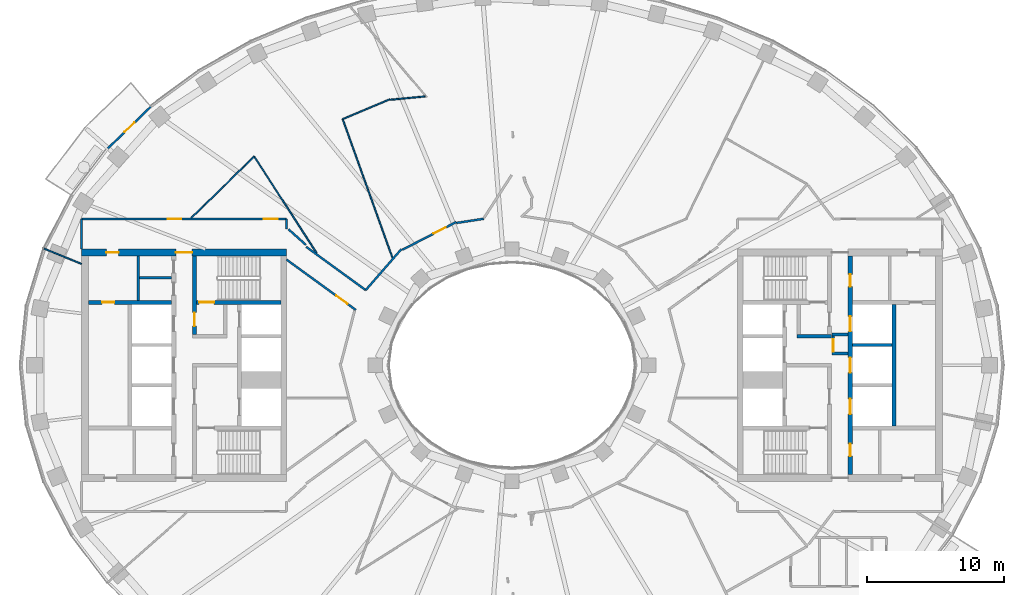
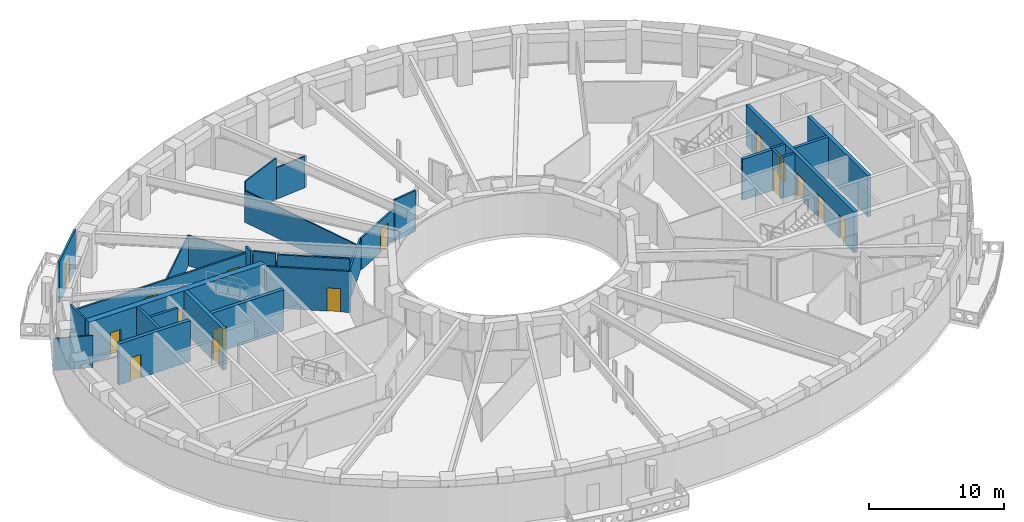
# One storey, part 6 of 17: 29 walls, 16 doors, 16 openings.
"""IFC4 building model written with IfcOpenShell, lengths in metres."""

from ifc_helpers import new_model, si_unit, direction, frame, frame_2d, origin, place, context, subcontext, project, spatial, rectangle, extrude, material, layer, layer_set, type_object, element, fill, save


model = new_model("IFC4")

# Units and contexts
model_context = context("Model", 3, precision=1e-05, world=origin(), true_north=direction((0.0, 1.0)))
body_context = subcontext(model_context, "Body", "Model", "MODEL_VIEW")
ifc_project = project(units=[si_unit("LENGTHUNIT", "METRE"), si_unit("AREAUNIT", "SQUARE_METRE"), si_unit("VOLUMEUNIT", "CUBIC_METRE"), si_unit("PLANEANGLEUNIT", "RADIAN"), si_unit("MASSUNIT", "GRAM", prefix="KILO")], contexts=[model_context])

# Site, building, storey
site_placement = place(None, origin())
site = spatial("IfcSite", under=ifc_project, at=site_placement, CompositionType="ELEMENT")
building_placement = place(site_placement, origin())
building = spatial("IfcBuilding", under=site, at=building_placement, Name="Noorbagh Ring Tower", CompositionType="ELEMENT")
storey_placement = place(building_placement, frame((0.0, 0.0, 190.0)))
storey = spatial("IfcBuildingStorey", under=building, at=storey_placement, Name="L44", CompositionType="ELEMENT", Elevation=190.0)

# Walls
ifc_material_1 = material(Name="Gypsum board on steel studs", Category="steel")
ifc_layer_1 = layer(ifc_material_1, 0.199951171875)
ifc_layer_set_1 = layer_set([ifc_layer_1], Name="Gypsum board on steel studs")
wall_type_1 = type_object("IfcWallType", Name="CORE-PARTITION-200", PredefinedType="PARTITIONING", material=ifc_layer_set_1)
wall_1_placement = place(storey_placement, frame((-27.35009765625, 4.75, 0.0), z_axis=(0.0, 0.0, 1.0), x_axis=(0.0, 1.0, 0.0)))
element("IfcWall", 1, at=wall_1_placement, inside=storey, type_object=wall_type_1, Name="Core partition W", PredefinedType="PARTITIONING", context=body_context, shape_type="SweptSolid", body=[
    extrude(rectangle(XDim=3.25, YDim=0.199951171875, at=frame_2d((1.625, 0.0))), origin(), (0.0, 0.0, 1.0), 3.699951171875),
])
wall_2_placement = place(storey_placement, frame((-24.89990234375, 6.39990234375, 0.0), z_axis=(0.0, 0.0, 1.0), x_axis=(-1.0, 0.0, 0.0)))
element("IfcWall", 2, at=wall_2_placement, inside=storey, type_object=wall_type_1, Name="Core partition W", PredefinedType="PARTITIONING", context=body_context, shape_type="SweptSolid", body=[
    extrude(rectangle(XDim=2.35009765625, YDim=0.199951171875, at=frame_2d((1.175048828125, 0.0))), origin(), (0.0, 0.0, 1.0), 3.699951171875),
])
for number, where, z_axis, x_axis, name in (
    (3, (23.39990234375, 0.85009765625, 0.0), (0.0, 0.0, 1.0), (1.0, 0.0, 0.0), "Core partition E"),
    (4, (23.39990234375, 2.25, 0.0), (0.0, 0.0, 1.0), (1.0, 0.0, 0.0), "Core partition E"),
):
    element("IfcWall", number, at=place(storey_placement, frame(where, z_axis=z_axis, x_axis=x_axis)), inside=storey, type_object=wall_type_1, Name=name, PredefinedType="PARTITIONING", context=body_context, shape_type="SweptSolid", body=[
        extrude(rectangle(XDim=1.2001953125, YDim=0.199951171875, at=frame_2d((0.60009765625, 0.0))), origin(), (0.0, 0.0, 1.0), 3.699951171875),
    ])

# Wall, opening, door
wall_3_placement = place(storey_placement, frame((23.5, 0.75, 0.0), z_axis=(0.0, 0.0, 1.0), x_axis=(0.0, 1.0, 0.0)))
wall_3 = element("IfcWall", 5, at=wall_3_placement, inside=storey, type_object=wall_type_1, Name="Core partition E", PredefinedType="PARTITIONING", context=body_context, shape_type="SweptSolid", body=[
    extrude(rectangle(XDim=1.60009765625, YDim=0.199951171875, at=frame_2d((0.800048828125, 0.0))), origin(), (0.0, 0.0, 1.0), 3.699951171875),
])
opening_1_placement = place(wall_3_placement, frame((0.25, 0.0, 0.0)))
opening_1 = element("IfcOpeningElement", 6, at=opening_1_placement, cuts=wall_3, Name="Opening L44-CE17", PredefinedType="OPENING", context=body_context, shape_type="SweptSolid", body=[
    extrude(rectangle(XDim=0.89990234375, YDim=2.10009765625, at=frame_2d((0.449951171875, 1.050048828125))), frame((0.0, 0.10986328125, 0.0), z_axis=(0.0, -1.0, 0.0), x_axis=(1.0, 0.0, 0.0)), (0.0, 0.0, 1.0), 0.219970703125),
])
ifc_material_2 = material(Name="Steel door leaf", Category="steel")
door_type_1 = type_object("IfcDoorType", Name="CORE-DOOR-DROOM", OperationType="SINGLE_SWING_LEFT", PredefinedType="DOOR", material=ifc_material_2)
door_1_placement = place(opening_1_placement, origin())
door_1 = element("IfcDoor", 7, at=door_1_placement, inside=storey, type_object=door_type_1, Name="Core room door L44-CE17", OperationType="SINGLE_SWING_LEFT", OverallHeight=2.10009765625, OverallWidth=0.89990234375, PredefinedType="DOOR", context=body_context, shape_type="SweptSolid", body=[
    extrude(rectangle(XDim=0.89990234375, YDim=2.10009765625, at=frame_2d((0.449951171875, 1.050048828125))), frame((0.0, 0.02490234375, 0.0), z_axis=(0.0, -1.0, 0.0), x_axis=(1.0, 0.0, 0.0)), (0.0, 0.0, 1.0), 0.050048828125),
])
fill(opening_1, door_1)

# Walls
ifc_material_3 = material(Name="Concrete C60/75", Category="concrete")
ifc_layer_2 = layer(ifc_material_3, 0.25)
ifc_layer_set_2 = layer_set([ifc_layer_2], Name="Concrete C60/75")
wall_type_2 = type_object("IfcWallType", Name="CORE-WALL-250-C60-75-EI120", PredefinedType="SHEAR", material=ifc_layer_set_2)
wall_4_placement = place(storey_placement, frame((24.89990234375, 1.47509765625, 0.0), z_axis=(0.0, 0.0, 1.0), x_axis=(1.0, 0.0, 0.0)))
element("IfcWall", 8, at=wall_4_placement, inside=storey, type_object=wall_type_2, Name="Core wall E", PredefinedType="SHEAR", context=body_context, shape_type="SweptSolid", body=[
    extrude(rectangle(XDim=2.900146484375, YDim=0.25, at=frame_2d((1.4501953125, 0.0))), origin(), (0.0, 0.0, 1.0), 3.699951171875),
])
ifc_material_4 = material(Name="Concrete C60/75", Category="concrete")
ifc_layer_3 = layer(ifc_material_4, 0.25)
ifc_layer_set_3 = layer_set([ifc_layer_3], Name="Concrete C60/75")
wall_type_3 = type_object("IfcWallType", Name="CORE-WALL-250-C60-75-EI240", PredefinedType="SHEAR", material=ifc_layer_set_3)
wall_5_placement = place(storey_placement, frame((20.85009765625, 2.125, 0.0), z_axis=(0.0, 0.0, 1.0), x_axis=(1.0, 0.0, 0.0)))
element("IfcWall", 9, at=wall_5_placement, inside=storey, type_object=wall_type_3, Name="Core wall E", PredefinedType="SHEAR", context=body_context, shape_type="SweptSolid", body=[
    extrude(rectangle(XDim=2.52978515625, YDim=0.25, at=frame_2d((1.264892578125, 0.0))), origin(), (0.0, 0.0, 1.0), 3.699951171875),
])
ifc_material_5 = material(Name="Concrete C60/75", Category="concrete")
ifc_layer_4 = layer(ifc_material_5, 0.300048828125)
ifc_layer_set_4 = layer_set([ifc_layer_4], Name="Concrete C60/75")
wall_type_4 = type_object("IfcWallType", Name="CORE-WALL-300-C60-75-EI120", PredefinedType="SHEAR", material=ifc_layer_set_4)
wall_6_placement = place(storey_placement, frame((27.949951171875, -4.449951171875, 0.0), z_axis=(0.0, 0.0, 1.0), x_axis=(0.0, 1.0, 0.0)))
element("IfcWall", 10, at=wall_6_placement, inside=storey, type_object=wall_type_4, Name="Core wall E", PredefinedType="SHEAR", context=body_context, shape_type="SweptSolid", body=[
    extrude(rectangle(XDim=8.89990234375, YDim=0.300048828125, at=frame_2d((4.449951171875, 0.0))), origin(), (0.0, 0.0, 1.0), 3.699951171875),
])

# Wall, openings, doors
wall_7_placement = place(storey_placement, frame((24.75, -8.0, 0.0), z_axis=(0.0, 0.0, 1.0), x_axis=(0.0, 1.0, 0.0)))
wall_7 = element("IfcWall", 11, at=wall_7_placement, inside=storey, type_object=wall_type_4, Name="Core wall E", PredefinedType="SHEAR", context=body_context, shape_type="SweptSolid", body=[
    extrude(rectangle(XDim=16.0, YDim=0.300048828125, at=frame_2d((8.0, 0.0))), origin(), (0.0, 0.0, 1.0), 3.699951171875),
])
opening_2_placement = place(wall_7_placement, frame((4.425048828125, 0.0, 0.0)))
opening_2 = element("IfcOpeningElement", 12, at=opening_2_placement, cuts=wall_7, Name="Opening L44-CE04", PredefinedType="OPENING", context=body_context, shape_type="SweptSolid", body=[
    extrude(rectangle(XDim=1.10009765625, YDim=2.10009765625, at=frame_2d((0.550048828125, 1.050048828125))), frame((0.0, 0.16015625, 0.0), z_axis=(0.0, -1.0, 0.0), x_axis=(1.0, 0.0, 0.0)), (0.0, 0.0, 1.0), 0.320068359375),
])
opening_3_placement = place(wall_7_placement, frame((7.449951171875, 0.0, 0.0)))
opening_3 = element("IfcOpeningElement", 13, at=opening_3_placement, cuts=wall_7, Name="Opening L44-CE05", PredefinedType="OPENING", context=body_context, shape_type="SweptSolid", body=[
    extrude(rectangle(XDim=1.10009765625, YDim=2.10009765625, at=frame_2d((0.550048828125, 1.050048828125))), frame((0.0, 0.16015625, 0.0), z_axis=(0.0, -1.0, 0.0), x_axis=(1.0, 0.0, 0.0)), (0.0, 0.0, 1.0), 0.320068359375),
])
opening_4_placement = place(wall_7_placement, frame((10.47509765625, 0.0, 0.0)))
opening_4 = element("IfcOpeningElement", 14, at=opening_4_placement, cuts=wall_7, Name="Opening L44-CE06", PredefinedType="OPENING", context=body_context, shape_type="SweptSolid", body=[
    extrude(rectangle(XDim=1.10009765625, YDim=2.10009765625, at=frame_2d((0.550048828125, 1.050048828125))), frame((0.0, 0.16015625, 0.0), z_axis=(0.0, -1.0, 0.0), x_axis=(1.0, 0.0, 0.0)), (0.0, 0.0, 1.0), 0.320068359375),
])
opening_5_placement = place(wall_7_placement, frame((13.75, 0.0, 0.0)))
opening_5 = element("IfcOpeningElement", 15, at=opening_5_placement, cuts=wall_7, Name="Opening L44-CE13", PredefinedType="OPENING", context=body_context, shape_type="SweptSolid", body=[
    extrude(rectangle(XDim=0.89990234375, YDim=2.10009765625, at=frame_2d((0.449951171875, 1.050048828125))), frame((0.0, 0.16015625, 0.0), z_axis=(0.0, -1.0, 0.0), x_axis=(1.0, 0.0, 0.0)), (0.0, 0.0, 1.0), 0.320068359375),
])
opening_6_placement = place(wall_7_placement, frame((1.35009765625, 0.0, 0.0)))
opening_6 = element("IfcOpeningElement", 16, at=opening_6_placement, cuts=wall_7, Name="Opening L44-CE15", PredefinedType="OPENING", context=body_context, shape_type="SweptSolid", body=[
    extrude(rectangle(XDim=0.89990234375, YDim=2.10009765625, at=frame_2d((0.449951171875, 1.050048828125))), frame((0.0, 0.16015625, 0.0), z_axis=(0.0, -1.0, 0.0), x_axis=(1.0, 0.0, 0.0)), (0.0, 0.0, 1.0), 0.320068359375),
])
door_2_placement = place(opening_5_placement, origin())
door_2 = element("IfcDoor", 17, at=door_2_placement, inside=storey, type_object=door_type_1, Name="Core room door L44-CE13", OperationType="SINGLE_SWING_LEFT", OverallHeight=2.10009765625, OverallWidth=0.89990234375, PredefinedType="DOOR", context=body_context, shape_type="SweptSolid", body=[
    extrude(rectangle(XDim=0.89990234375, YDim=2.10009765625, at=frame_2d((0.449951171875, 1.050048828125))), frame((0.0, 0.02490234375, 0.0), z_axis=(0.0, -1.0, 0.0), x_axis=(1.0, 0.0, 0.0)), (0.0, 0.0, 1.0), 0.050048828125),
])
fill(opening_5, door_2)
door_3_placement = place(opening_6_placement, origin())
door_3 = element("IfcDoor", 18, at=door_3_placement, inside=storey, type_object=door_type_1, Name="Core room door L44-CE15", OperationType="SINGLE_SWING_RIGHT", OverallHeight=2.10009765625, OverallWidth=0.89990234375, PredefinedType="DOOR", context=body_context, shape_type="SweptSolid", body=[
    extrude(rectangle(XDim=0.89990234375, YDim=2.10009765625, at=frame_2d((0.449951171875, 1.050048828125))), frame((0.0, 0.02490234375, 0.0), z_axis=(0.0, -1.0, 0.0), x_axis=(1.0, 0.0, 0.0)), (0.0, 0.0, 1.0), 0.050048828125),
])
fill(opening_6, door_3)
ifc_material_6 = material(Name="Steel door leaf", Category="steel")
door_type_2 = type_object("IfcDoorType", Name="CORE-DOOR-LD", OperationType="DOUBLE_DOOR_SLIDING", PredefinedType="DOOR", material=ifc_material_6)
door_4_placement = place(opening_2_placement, origin())
door_4 = element("IfcDoor", 19, at=door_4_placement, inside=storey, type_object=door_type_2, Name="Landing door HR9 L44-CE04", OperationType="DOUBLE_DOOR_SLIDING", OverallHeight=2.10009765625, OverallWidth=1.10009765625, PredefinedType="DOOR", context=body_context, shape_type="SweptSolid", body=[
    extrude(rectangle(XDim=1.10009765625, YDim=2.10009765625, at=frame_2d((0.550048828125, 1.050048828125))), frame((0.0, 0.02490234375, 0.0), z_axis=(0.0, -1.0, 0.0), x_axis=(1.0, 0.0, 0.0)), (0.0, 0.0, 1.0), 0.050048828125),
])
fill(opening_2, door_4)
door_5_placement = place(opening_3_placement, origin())
door_5 = element("IfcDoor", 20, at=door_5_placement, inside=storey, type_object=door_type_2, Name="Landing door HR10 L44-CE05", OperationType="DOUBLE_DOOR_SLIDING", OverallHeight=2.10009765625, OverallWidth=1.10009765625, PredefinedType="DOOR", context=body_context, shape_type="SweptSolid", body=[
    extrude(rectangle(XDim=1.10009765625, YDim=2.10009765625, at=frame_2d((0.550048828125, 1.050048828125))), frame((0.0, 0.02490234375, 0.0), z_axis=(0.0, -1.0, 0.0), x_axis=(1.0, 0.0, 0.0)), (0.0, 0.0, 1.0), 0.050048828125),
])
fill(opening_3, door_5)
door_6_placement = place(opening_4_placement, origin())
door_6 = element("IfcDoor", 21, at=door_6_placement, inside=storey, type_object=door_type_2, Name="Landing door HR11 L44-CE06", OperationType="DOUBLE_DOOR_SLIDING", OverallHeight=2.10009765625, OverallWidth=1.10009765625, PredefinedType="DOOR", context=body_context, shape_type="SweptSolid", body=[
    extrude(rectangle(XDim=1.10009765625, YDim=2.10009765625, at=frame_2d((0.550048828125, 1.050048828125))), frame((0.0, 0.02490234375, 0.0), z_axis=(0.0, -1.0, 0.0), x_axis=(1.0, 0.0, 0.0)), (0.0, 0.0, 1.0), 0.050048828125),
])
fill(opening_4, door_6)

# Wall, opening, door
ifc_material_7 = material(Name="Concrete C60/75", Category="concrete")
ifc_layer_5 = layer(ifc_material_7, 0.300048828125)
ifc_layer_set_5 = layer_set([ifc_layer_5], Name="Concrete C60/75")
wall_type_5 = type_object("IfcWallType", Name="CORE-WALL-300-C60-75-EI240", PredefinedType="SHEAR", material=ifc_layer_set_5)
wall_8_placement = place(storey_placement, frame((-24.89990234375, 4.60009765625, 0.0), z_axis=(0.0, 0.0, 1.0), x_axis=(-1.0, 0.0, 0.0)))
wall_8 = element("IfcWall", 22, at=wall_8_placement, inside=storey, type_object=wall_type_5, Name="Core wall W", PredefinedType="SHEAR", context=body_context, shape_type="SweptSolid", body=[
    extrude(rectangle(XDim=6.10009765625, YDim=0.300048828125, at=frame_2d((3.050048828125, 0.0))), origin(), (0.0, 0.0, 1.0), 3.699951171875),
])
opening_7_placement = place(wall_8_placement, frame((4.199951171875, 0.0, 0.0)))
opening_7 = element("IfcOpeningElement", 23, at=opening_7_placement, cuts=wall_8, Name="Opening L44-CW17", PredefinedType="OPENING", context=body_context, shape_type="SweptSolid", body=[
    extrude(rectangle(XDim=0.89990234375, YDim=2.10009765625, at=frame_2d((0.449951171875, 1.050048828125))), frame((0.0, 0.16015625, 0.0), z_axis=(0.0, -1.0, 0.0), x_axis=(1.0, 0.0, 0.0)), (0.0, 0.0, 1.0), 0.320068359375),
])
door_7_placement = place(opening_7_placement, origin())
door_7 = element("IfcDoor", 24, at=door_7_placement, inside=storey, type_object=door_type_1, Name="Core room door L44-CW17", OperationType="SINGLE_SWING_LEFT", OverallHeight=2.10009765625, OverallWidth=0.89990234375, PredefinedType="DOOR", context=body_context, shape_type="SweptSolid", body=[
    extrude(rectangle(XDim=0.89990234375, YDim=2.10009765625, at=frame_2d((0.449951171875, 1.050048828125))), frame((0.0, 0.02490234375, 0.0), z_axis=(0.0, -1.0, 0.0), x_axis=(1.0, 0.0, 0.0)), (0.0, 0.0, 1.0), 0.050048828125),
])
fill(opening_7, door_7)

wall_9_placement = place(storey_placement, frame((-23.22998046875, 2.25, 0.0), z_axis=(0.0, 0.0, 1.0), x_axis=(0.0, 1.0, 0.0)))
wall_9 = element("IfcWall", 25, at=wall_9_placement, inside=storey, type_object=wall_type_5, Name="Core wall W", PredefinedType="SHEAR", context=body_context, shape_type="SweptSolid", body=[
    extrude(rectangle(XDim=5.75, YDim=0.300048828125, at=frame_2d((2.875, 0.0))), origin(), (0.0, 0.0, 1.0), 3.699951171875),
])
opening_8_placement = place(wall_9_placement, frame((0.60009765625, 0.0, 0.0)))
opening_8 = element("IfcOpeningElement", 26, at=opening_8_placement, cuts=wall_9, Name="Opening L44-CW09", PredefinedType="OPENING", context=body_context, shape_type="SweptSolid", body=[
    extrude(rectangle(XDim=1.0, YDim=2.10009765625, at=frame_2d((0.5, 1.050048828125))), frame((0.0, 0.16015625, 0.0), z_axis=(0.0, -1.0, 0.0), x_axis=(1.0, 0.0, 0.0)), (0.0, 0.0, 1.0), 0.320068359375),
])
ifc_material_8 = material(Name="Steel door leaf", Category="steel")
door_type_3 = type_object("IfcDoorType", Name="CORE-DOOR-DVEST", OperationType="SINGLE_SWING_LEFT", PredefinedType="DOOR", material=ifc_material_8)
door_8_placement = place(opening_8_placement, origin())
door_8 = element("IfcDoor", 27, at=door_8_placement, inside=storey, type_object=door_type_3, Name="Stair vestibule door L44-CW09", OperationType="SINGLE_SWING_LEFT", OverallHeight=2.10009765625, OverallWidth=1.0, PredefinedType="DOOR", context=body_context, shape_type="SweptSolid", body=[
    extrude(rectangle(XDim=1.0, YDim=2.10009765625, at=frame_2d((0.5, 1.050048828125))), frame((0.0, 0.02490234375, 0.0), z_axis=(0.0, -1.0, 0.0), x_axis=(1.0, 0.0, 0.0)), (0.0, 0.0, 1.0), 0.050048828125),
])
fill(opening_8, door_8)

wall_10_placement = place(storey_placement, frame((-16.89990234375, 4.60009765625, 0.0), z_axis=(0.0, 0.0, 1.0), x_axis=(-1.0, 0.0, 0.0)))
wall_10 = element("IfcWall", 28, at=wall_10_placement, inside=storey, type_object=wall_type_5, Name="Core wall W", PredefinedType="SHEAR", context=body_context, shape_type="SweptSolid", body=[
    extrude(rectangle(XDim=6.18017578125, YDim=0.300048828125, at=frame_2d((3.090087890625, 0.0))), origin(), (0.0, 0.0, 1.0), 3.699951171875),
])
opening_9_placement = place(wall_10_placement, frame((4.89990234375, 0.0, 0.0)))
opening_9 = element("IfcOpeningElement", 29, at=opening_9_placement, cuts=wall_10, Name="Opening L44-CW06", PredefinedType="OPENING", context=body_context, shape_type="SweptSolid", body=[
    extrude(rectangle(XDim=1.10009765625, YDim=2.10009765625, at=frame_2d((0.550048828125, 1.050048828125))), frame((0.0, 0.16015625, 0.0), z_axis=(0.0, -1.0, 0.0), x_axis=(1.0, 0.0, 0.0)), (0.0, 0.0, 1.0), 0.320068359375),
])
ifc_material_9 = material(Name="Steel door leaf", Category="steel")
door_type_4 = type_object("IfcDoorType", Name="CORE-DOOR-DSTAIR", OperationType="SINGLE_SWING_LEFT", PredefinedType="DOOR", material=ifc_material_9)
door_9_placement = place(opening_9_placement, origin())
door_9 = element("IfcDoor", 30, at=door_9_placement, inside=storey, type_object=door_type_4, Name="Stair door ST1 L44-CW06", OperationType="SINGLE_SWING_RIGHT", OverallHeight=2.10009765625, OverallWidth=1.10009765625, PredefinedType="DOOR", context=body_context, shape_type="SweptSolid", body=[
    extrude(rectangle(XDim=1.10009765625, YDim=2.10009765625, at=frame_2d((0.550048828125, 1.050048828125))), frame((0.0, 0.02490234375, 0.0), z_axis=(0.0, -1.0, 0.0), x_axis=(1.0, 0.0, 0.0)), (0.0, 0.0, 1.0), 0.050048828125),
])
fill(opening_9, door_9)

# Wall, openings, doors
ifc_material_10 = material(Name="Concrete C60/75", Category="concrete")
ifc_layer_6 = layer(ifc_material_10, 0.5)
ifc_layer_set_6 = layer_set([ifc_layer_6], Name="Concrete C60/75")
wall_type_6 = type_object("IfcWallType", Name="CORE-WALL-500-C60-75-EI240", PredefinedType="SHEAR", material=ifc_layer_set_6)
wall_11_placement = place(storey_placement, frame((-16.5, 8.25, 0.0), z_axis=(0.0, 0.0, 1.0), x_axis=(-1.0, 0.0, 0.0)))
wall_11 = element("IfcWall", 31, at=wall_11_placement, inside=storey, type_object=wall_type_6, Name="Core wall W", PredefinedType="SHEAR", context=body_context, shape_type="SweptSolid", body=[
    extrude(rectangle(XDim=15.0, YDim=0.5, at=frame_2d((7.5, 0.0))), origin(), (0.0, 0.0, 1.0), 3.699951171875),
])
opening_10_placement = place(wall_11_placement, frame((6.89990234375, 0.0, 0.0)))
opening_10 = element("IfcOpeningElement", 32, at=opening_10_placement, cuts=wall_11, Name="Opening L44-CW10", PredefinedType="OPENING", context=body_context, shape_type="SweptSolid", body=[
    extrude(rectangle(XDim=1.199951171875, YDim=2.10009765625, at=frame_2d((0.60009765625, 1.050048828125))), frame((0.0, 0.260009765625, 0.0), z_axis=(0.0, -1.0, 0.0), x_axis=(1.0, 0.0, 0.0)), (0.0, 0.0, 1.0), 0.52001953125),
])
opening_11_placement = place(wall_11_placement, frame((12.27490234375, 0.0, 0.0)))
opening_11 = element("IfcOpeningElement", 33, at=opening_11_placement, cuts=wall_11, Name="Opening L44-CW14", PredefinedType="OPENING", context=body_context, shape_type="SweptSolid", body=[
    extrude(rectangle(XDim=0.89990234375, YDim=2.10009765625, at=frame_2d((0.449951171875, 1.050048828125))), frame((0.0, 0.260009765625, 0.0), z_axis=(0.0, -1.0, 0.0), x_axis=(1.0, 0.0, 0.0)), (0.0, 0.0, 1.0), 0.52001953125),
])
door_10_placement = place(opening_11_placement, origin())
door_10 = element("IfcDoor", 34, at=door_10_placement, inside=storey, type_object=door_type_1, Name="Core room door L44-CW14", OperationType="SINGLE_SWING_RIGHT", OverallHeight=2.10009765625, OverallWidth=0.89990234375, PredefinedType="DOOR", context=body_context, shape_type="SweptSolid", body=[
    extrude(rectangle(XDim=0.89990234375, YDim=2.10009765625, at=frame_2d((0.449951171875, 1.050048828125))), frame((0.0, 0.02490234375, 0.0), z_axis=(0.0, -1.0, 0.0), x_axis=(1.0, 0.0, 0.0)), (0.0, 0.0, 1.0), 0.050048828125),
])
fill(opening_11, door_10)
ifc_material_11 = material(Name="Steel door leaf", Category="steel")
door_type_5 = type_object("IfcDoorType", Name="CORE-DOOR-PORT", OperationType="DOUBLE_DOOR_DOUBLE_SWING", PredefinedType="DOOR", material=ifc_material_11)
door_11_placement = place(opening_10_placement, origin())
door_11 = element("IfcDoor", 35, at=door_11_placement, inside=storey, type_object=door_type_5, Name="Core entrance door L44-CW10", OperationType="DOUBLE_DOOR_DOUBLE_SWING", OverallHeight=2.10009765625, OverallWidth=1.199951171875, PredefinedType="DOOR", context=body_context, shape_type="SweptSolid", body=[
    extrude(rectangle(XDim=1.199951171875, YDim=2.10009765625, at=frame_2d((0.60009765625, 1.050048828125))), frame((0.0, 0.02490234375, 0.0), z_axis=(0.0, -1.0, 0.0), x_axis=(1.0, 0.0, 0.0)), (0.0, 0.0, 1.0), 0.050048828125),
])
fill(opening_10, door_11)

# Wall
ifc_material_12 = material(Name="Gypsum board on steel studs", Category="steel")
ifc_layer_7 = layer(ifc_material_12, 0.14990234375)
ifc_layer_set_7 = layer_set([ifc_layer_7], Name="Gypsum board on steel studs")
wall_type_7 = type_object("IfcWallType", Name="CORRIDOR PARTITION 150 EI 30", PredefinedType="PARTITIONING", material=ifc_layer_set_7)
wall_12_placement = place(storey_placement, frame((-31.5, 8.5, 0.0), z_axis=(0.0, 0.0, 1.0), x_axis=(0.0, 1.0, 0.0)))
element("IfcWall", 36, at=wall_12_placement, inside=storey, type_object=wall_type_7, Name="L44/wall/P04", PredefinedType="PARTITIONING", context=body_context, shape_type="SweptSolid", body=[
    extrude(rectangle(XDim=2.199951171875, YDim=0.14990234375, at=frame_2d((1.10009765625, 0.0))), origin(), (0.0, 0.0, 1.0), 3.699951171875),
])

# Wall, openings, doors
wall_13_placement = place(storey_placement, frame((-31.5, 10.699951171875, 0.0), z_axis=(0.0, 0.0, 1.0), x_axis=(1.0, 0.0, 0.0)))
wall_13 = element("IfcWall", 37, at=wall_13_placement, inside=storey, type_object=wall_type_7, Name="L44/wall/P05", PredefinedType="PARTITIONING", context=body_context, shape_type="SweptSolid", body=[
    extrude(rectangle(XDim=15.0, YDim=0.14990234375, at=frame_2d((7.5, 0.0))), origin(), (0.0, 0.0, 1.0), 3.10009765625),
])
opening_12_placement = place(wall_13_placement, frame((6.31005859375, 0.0, 0.0)))
opening_12 = element("IfcOpeningElement", 38, at=opening_12_placement, cuts=wall_13, Name="Opening D1", PredefinedType="OPENING", context=body_context, shape_type="SweptSolid", body=[
    extrude(rectangle(XDim=1.0, YDim=2.10009765625, at=frame_2d((0.5, 1.050048828125))), frame((0.0, 0.0849609375, 0.0), z_axis=(0.0, -1.0, 0.0), x_axis=(1.0, 0.0, 0.0)), (0.0, 0.0, 1.0), 0.169921875),
])
opening_13_placement = place(wall_13_placement, frame((13.35009765625, 0.0, 0.0)))
opening_13 = element("IfcOpeningElement", 39, at=opening_13_placement, cuts=wall_13, Name="Opening D1", PredefinedType="OPENING", context=body_context, shape_type="SweptSolid", body=[
    extrude(rectangle(XDim=1.0, YDim=2.10009765625, at=frame_2d((0.5, 1.050048828125))), frame((0.0, 0.0849609375, 0.0), z_axis=(0.0, -1.0, 0.0), x_axis=(1.0, 0.0, 0.0)), (0.0, 0.0, 1.0), 0.169921875),
])
ifc_material_13 = material(Name="Timber, painted", Category="wood")
door_type_6 = type_object("IfcDoorType", Name="DOOR 1000 X 2100 FD30", OperationType="SINGLE_SWING_LEFT", PredefinedType="DOOR", material=ifc_material_13)
door_12_placement = place(opening_12_placement, origin())
door_12 = element("IfcDoor", 40, at=door_12_placement, inside=storey, type_object=door_type_6, Name="L44-D07", OperationType="SINGLE_SWING_LEFT", OverallHeight=2.10009765625, OverallWidth=1.0, PredefinedType="DOOR", context=body_context, shape_type="SweptSolid", body=[
    extrude(rectangle(XDim=1.0, YDim=2.10009765625, at=frame_2d((0.5, 1.050048828125))), frame((0.0, 0.02490234375, 0.0), z_axis=(0.0, -1.0, 0.0), x_axis=(1.0, 0.0, 0.0)), (0.0, 0.0, 1.0), 0.050048828125),
])
fill(opening_12, door_12)
door_13_placement = place(opening_13_placement, origin())
door_13 = element("IfcDoor", 41, at=door_13_placement, inside=storey, type_object=door_type_6, Name="L44-D09", OperationType="SINGLE_SWING_LEFT", OverallHeight=2.10009765625, OverallWidth=1.0, PredefinedType="DOOR", context=body_context, shape_type="SweptSolid", body=[
    extrude(rectangle(XDim=1.0, YDim=2.10009765625, at=frame_2d((0.5, 1.050048828125))), frame((0.0, 0.02490234375, 0.0), z_axis=(0.0, -1.0, 0.0), x_axis=(1.0, 0.0, 0.0)), (0.0, 0.0, 1.0), 0.050048828125),
])
fill(opening_13, door_13)

# Wall
wall_14_placement = place(storey_placement, frame((-16.5, 9.964111328125, 0.0), z_axis=(0.0, 0.0, 1.0), x_axis=(0.0, 1.0, 0.0)))
element("IfcWall", 42, at=wall_14_placement, inside=storey, type_object=wall_type_7, Name="L44/wall/P11", PredefinedType="PARTITIONING", context=body_context, shape_type="SweptSolid", body=[
    extrude(rectangle(XDim=0.73583984375, YDim=0.14990234375, at=frame_2d((0.367919921875, 0.0))), origin(), (0.0, 0.0, 1.0), 3.699951171875),
])

# Wall, opening, door
wall_15_placement = place(storey_placement, frame((-16.5, 7.72705078125, 0.0), z_axis=(0.0, 0.0, 1.0), x_axis=(0.808900994583, -0.587944879188, 0.0)))
wall_15 = element("IfcWall", 43, at=wall_15_placement, inside=storey, type_object=wall_type_7, Name="L44/wall/P13", PredefinedType="PARTITIONING", context=body_context, shape_type="SweptSolid", body=[
    extrude(rectangle(XDim=6.272705078125, YDim=0.14990234375, at=frame_2d((3.13623046875, 0.0))), origin(), (0.0, 0.0, 1.0), 3.699951171875),
])
opening_14_placement = place(wall_15_placement, frame((4.504150390625, 0.0, 0.0)))
opening_14 = element("IfcOpeningElement", 44, at=opening_14_placement, cuts=wall_15, Name="Opening D1", PredefinedType="OPENING", context=body_context, shape_type="SweptSolid", body=[
    extrude(rectangle(XDim=1.0, YDim=2.10009765625, at=frame_2d((0.5, 1.050048828125))), frame((0.0, 0.0849609375, 0.0), z_axis=(0.0, -1.0, 0.0), x_axis=(1.0, 0.0, 0.0)), (0.0, 0.0, 1.0), 0.169921875),
])
door_14_placement = place(opening_14_placement, origin())
door_14 = element("IfcDoor", 45, at=door_14_placement, inside=storey, type_object=door_type_6, Name="L44-D18", OperationType="SINGLE_SWING_RIGHT", OverallHeight=2.10009765625, OverallWidth=1.0, PredefinedType="DOOR", context=body_context, shape_type="SweptSolid", body=[
    extrude(rectangle(XDim=1.0, YDim=2.10009765625, at=frame_2d((0.5, 1.050048828125))), frame((0.0, 0.02490234375, 0.0), z_axis=(0.0, -1.0, 0.0), x_axis=(1.0, 0.0, 0.0)), (0.0, 0.0, 1.0), 0.050048828125),
])
fill(opening_14, door_14)

# Walls
wall_16_placement = place(storey_placement, frame((-15.05908203125, 8.657958984375, 0.0), z_axis=(0.0, 0.0, 1.0), x_axis=(0.808838005268, -0.588031530816, 0.0)))
element("IfcWall", 46, at=wall_16_placement, inside=storey, type_object=wall_type_7, Name="L44/wall/P15", PredefinedType="PARTITIONING", context=body_context, shape_type="SweptSolid", body=[
    extrude(rectangle(XDim=5.3857421875, YDim=0.14990234375, at=frame_2d((2.69287109375, 0.0))), origin(), (0.0, 0.0, 1.0), 3.699951171875),
])
wall_17_placement = place(storey_placement, frame((-10.702880859375, 5.490966796875, 0.0), z_axis=(0.0, 0.0, 1.0), x_axis=(0.656266732873, 0.754528975802, 0.0)))
element("IfcWall", 47, at=wall_17_placement, inside=storey, type_object=wall_type_7, Name="L44/wall/P24", PredefinedType="PARTITIONING", context=body_context, shape_type="SweptSolid", body=[
    extrude(rectangle(XDim=3.982666015625, YDim=0.14990234375, at=frame_2d((1.9912109375, 0.0))), origin(), (0.0, 0.0, 1.0), 2.75),
])

# Wall, opening, door
wall_18_placement = place(storey_placement, frame((-8.0419921875, 8.43505859375, 0.0), z_axis=(0.0, 0.0, 1.0), x_axis=(0.88929925529, 0.457325742268, 0.0)))
wall_18 = element("IfcWall", 48, at=wall_18_placement, inside=storey, type_object=wall_type_7, Name="L44/wall/P27", PredefinedType="PARTITIONING", context=body_context, shape_type="SweptSolid", body=[
    extrude(rectangle(XDim=4.458740234375, YDim=0.14990234375, at=frame_2d((2.2294921875, 0.0))), origin(), (0.0, 0.0, 1.0), 2.85009765625),
])
opening_15_placement = place(wall_18_placement, frame((2.593994140625, 0.0, 0.0)))
opening_15 = element("IfcOpeningElement", 49, at=opening_15_placement, cuts=wall_18, Name="Opening D1", PredefinedType="OPENING", context=body_context, shape_type="SweptSolid", body=[
    extrude(rectangle(XDim=1.0, YDim=2.10009765625, at=frame_2d((0.5, 1.050048828125))), frame((0.0, 0.0849609375, 0.0), z_axis=(0.0, -1.0, 0.0), x_axis=(1.0, 0.0, 0.0)), (0.0, 0.0, 1.0), 0.169921875),
])
door_15_placement = place(opening_15_placement, origin())
door_15 = element("IfcDoor", 50, at=door_15_placement, inside=storey, type_object=door_type_6, Name="L44-D11", OperationType="SINGLE_SWING_LEFT", OverallHeight=2.10009765625, OverallWidth=1.0, PredefinedType="DOOR", context=body_context, shape_type="SweptSolid", body=[
    extrude(rectangle(XDim=1.0, YDim=2.10009765625, at=frame_2d((0.5, 1.050048828125))), frame((0.0, 0.02490234375, 0.0), z_axis=(0.0, -1.0, 0.0), x_axis=(1.0, 0.0, 0.0)), (0.0, 0.0, 1.0), 0.050048828125),
])
fill(opening_15, door_15)

# Walls
wall_19_placement = place(storey_placement, frame((-4.055908203125, 10.407958984375, 0.0), z_axis=(0.0, 0.0, 1.0), x_axis=(0.988437567576, 0.151628410943, 0.0)))
element("IfcWall", 51, at=wall_19_placement, inside=storey, type_object=wall_type_7, Name="L44/wall/P29", PredefinedType="PARTITIONING", context=body_context, shape_type="SweptSolid", body=[
    extrude(rectangle(XDim=2.010986328125, YDim=0.14990234375, at=frame_2d((1.00537109375, 0.0))), origin(), (0.0, 0.0, 1.0), 3.699951171875),
])
wall_20_placement = place(storey_placement, frame((-16.35205078125, 9.94189453125, 0.0), z_axis=(0.0, 0.0, 1.0), x_axis=(0.744832366149, -0.667251636444, 0.0)))
element("IfcWall", 52, at=wall_20_placement, inside=storey, type_object=wall_type_7, Name="L44/wall/P89", PredefinedType="PARTITIONING", context=body_context, shape_type="SweptSolid", body=[
    extrude(rectangle(XDim=1.702392578125, YDim=0.14990234375, at=frame_2d((0.85107421875, 0.0))), origin(), (0.0, 0.0, 1.0), 3.699951171875),
])

# Wall, opening, door
ifc_material_14 = material(Name="Insulated aluminium clad panel", Category="aluminium")
ifc_layer_8 = layer(ifc_material_14, 0.14990234375)
ifc_layer_set_8 = layer_set([ifc_layer_8], Name="Insulated aluminium clad panel")
wall_type_8 = type_object("IfcWallType", Name="ENV-WALL-DOOR", PredefinedType="STANDARD", material=ifc_layer_set_8)
wall_21_placement = place(storey_placement, frame((-26.396484375, 18.943359375, 0.0), z_axis=(0.0, 0.0, 1.0), x_axis=(-0.717214761864, -0.696852197647, 0.0)))
wall_21 = element("IfcWall", 53, at=wall_21_placement, inside=storey, type_object=wall_type_8, Name="Balcony door wall chord 19", PredefinedType="STANDARD", context=body_context, shape_type="SweptSolid", body=[
    extrude(rectangle(XDim=4.424072265625, YDim=0.14990234375, at=frame_2d((2.2119140625, 0.0))), origin(), (0.0, 0.0, 1.0), 3.699951171875),
])
opening_16_placement = place(wall_21_placement, frame((1.712158203125, 0.0, 0.0)))
opening_16 = element("IfcOpeningElement", 54, at=opening_16_placement, cuts=wall_21, Name="Opening D-BL", PredefinedType="OPENING", context=body_context, shape_type="SweptSolid", body=[
    extrude(rectangle(XDim=1.0, YDim=2.39990234375, at=frame_2d((0.5, 1.199951171875))), frame((0.0, 0.0849609375, 0.0), z_axis=(0.0, -1.0, 0.0), x_axis=(1.0, 0.0, 0.0)), (0.0, 0.0, 1.0), 0.169921875),
])
ifc_material_15 = material(Name="Aluminium and glass", Category="aluminium")
door_type_7 = type_object("IfcDoorType", Name="ENV-DOOR-BALCONY", OperationType="SINGLE_SWING_LEFT", PredefinedType="DOOR", material=ifc_material_15)
door_16_placement = place(opening_16_placement, origin())
door_16 = element("IfcDoor", 55, at=door_16_placement, inside=storey, type_object=door_type_7, Name="Balcony door chord 19", OperationType="SINGLE_SWING_LEFT", OverallHeight=2.39990234375, OverallWidth=1.0, PredefinedType="DOOR", context=body_context, shape_type="SweptSolid", body=[
    extrude(rectangle(XDim=1.0, YDim=2.39990234375, at=frame_2d((0.5, 1.199951171875))), frame((0.0, 0.02490234375, 0.0), z_axis=(0.0, -1.0, 0.0), x_axis=(1.0, 0.0, 0.0)), (0.0, 0.0, 1.0), 0.050048828125),
])
fill(opening_16, door_16)

# Walls
ifc_material_16 = material(Name="Gypsum board on steel studs", Category="steel")
ifc_layer_9 = layer(ifc_material_16, 0.10009765625)
ifc_layer_set_9 = layer_set([ifc_layer_9], Name="Gypsum board on steel studs")
wall_type_9 = type_object("IfcWallType", Name="PARTITION 100 GYPSUM", PredefinedType="PARTITIONING", material=ifc_layer_set_9)
wall_22_placement = place(storey_placement, frame((-34.23388671875, 8.530029296875, 0.0), z_axis=(0.0, 0.0, 1.0), x_axis=(0.925344112436, -0.379128307542, 0.0)))
element("IfcWall", 56, at=wall_22_placement, inside=storey, type_object=wall_type_9, Name="L44/wall/P01", PredefinedType="PARTITIONING", context=body_context, shape_type="SweptSolid", body=[
    extrude(rectangle(XDim=2.954345703125, YDim=0.10009765625, at=frame_2d((1.47705078125, 0.0))), origin(), (0.0, 0.0, 1.0), 2.89990234375),
])
wall_23_placement = place(storey_placement, frame((-23.466064453125, 10.778076171875, 0.0), z_axis=(0.0, 0.0, 1.0), x_axis=(0.716078357027, 0.698019904156, 0.0)))
element("IfcWall", 57, at=wall_23_placement, inside=storey, type_object=wall_type_9, Name="L44/wall/P07", PredefinedType="PARTITIONING", context=body_context, shape_type="SweptSolid", body=[
    extrude(rectangle(XDim=6.435302734375, YDim=0.10009765625, at=frame_2d((3.2177734375, 0.0))), origin(), (0.0, 0.0, 1.0), 2.75),
])
wall_24_placement = place(storey_placement, frame((-18.85791015625, 15.27001953125, 0.0), z_axis=(0.0, 0.0, 1.0), x_axis=(0.542349920329, -0.840152702739, 0.0)))
element("IfcWall", 58, at=wall_24_placement, inside=storey, type_object=wall_type_9, Name="L44/wall/P08", PredefinedType="PARTITIONING", context=body_context, shape_type="SweptSolid", body=[
    extrude(rectangle(XDim=8.426025390625, YDim=0.10009765625, at=frame_2d((4.212890625, 0.0))), origin(), (0.0, 0.0, 1.0), 2.75),
])
wall_25_placement = place(storey_placement, frame((-12.39306640625, 17.9990234375, 0.0), z_axis=(0.0, 0.0, 1.0), x_axis=(0.921243349635, 0.388986748816, 0.0)))
element("IfcWall", 59, at=wall_25_placement, inside=storey, type_object=wall_type_9, Name="L44/wall/P18", PredefinedType="PARTITIONING", context=body_context, shape_type="SweptSolid", body=[
    extrude(rectangle(XDim=3.755859375, YDim=0.10009765625, at=frame_2d((1.8779296875, 0.0))), origin(), (0.0, 0.0, 1.0), 3.699951171875),
])
wall_26_placement = place(storey_placement, frame((-12.39306640625, 17.9990234375, 0.0), z_axis=(0.0, 0.0, 1.0), x_axis=(0.338550172492, -0.940948341146, 0.0)))
element("IfcWall", 60, at=wall_26_placement, inside=storey, type_object=wall_type_9, Name="L44/wall/P19", PredefinedType="PARTITIONING", context=body_context, shape_type="SweptSolid", body=[
    extrude(rectangle(XDim=10.775146484375, YDim=0.10009765625, at=frame_2d((5.3876953125, 0.0))), origin(), (0.0, 0.0, 1.0), 2.85009765625),
])
wall_27_placement = place(storey_placement, frame((-8.923095703125, 19.41796875, 0.0), z_axis=(0.0, 0.0, 1.0), x_axis=(0.995460608392, 0.095174456346, 0.0)))
element("IfcWall", 61, at=wall_27_placement, inside=storey, type_object=wall_type_9, Name="L44/wall/P25", PredefinedType="PARTITIONING", context=body_context, shape_type="SweptSolid", body=[
    extrude(rectangle(XDim=2.585693359375, YDim=0.10009765625, at=frame_2d((1.29296875, 0.0))), origin(), (0.0, 0.0, 1.0), 2.85009765625),
])

save(model, "model.ifc")
